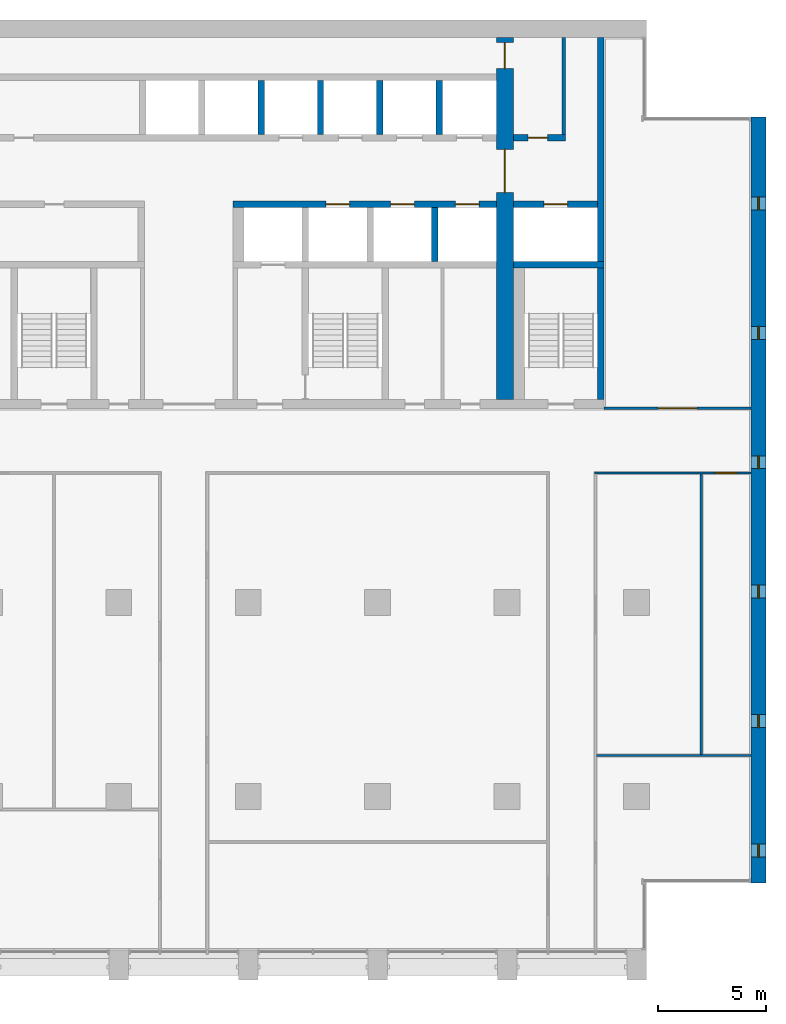
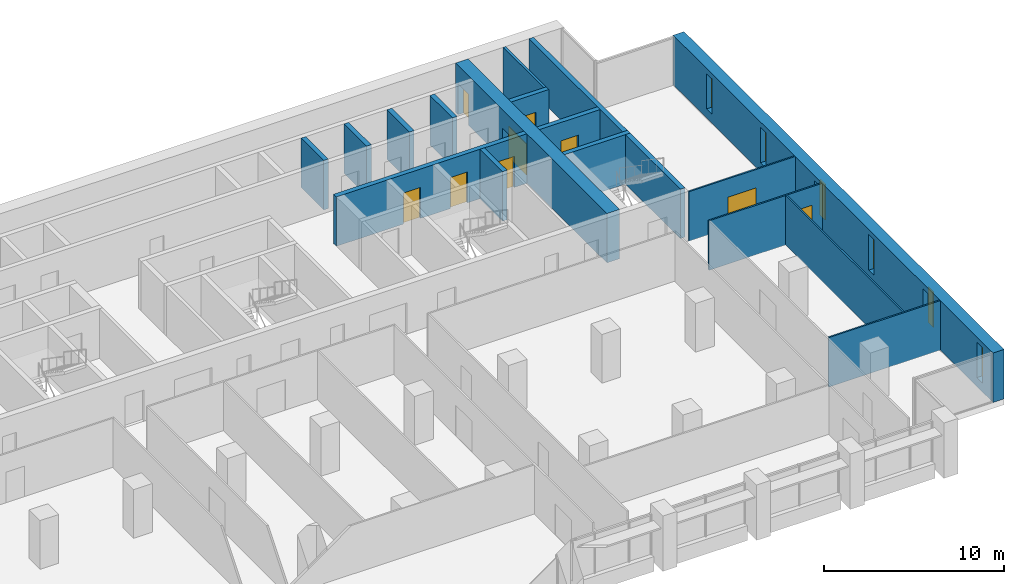
# One storey, part 11 of 15: 18 walls, 9 doors, 6 windows, 15 openings.
"""IFC4 building model written with IfcOpenShell, lengths in metres."""

from ifc_helpers import new_model, si_unit, direction, frame, frame_2d, origin, place, context, subcontext, project, spatial, rectangle, extrude, material, layer, layer_set, type_object, element, fill, save


model = new_model("IFC4")

# Units and contexts
model_context = context("Model", 3, precision=1e-05, world=origin(), true_north=direction((0.0, 1.0)))
body_context = subcontext(model_context, "Body", "Model", "MODEL_VIEW")
ifc_project = project(units=[si_unit("LENGTHUNIT", "METRE"), si_unit("AREAUNIT", "SQUARE_METRE"), si_unit("VOLUMEUNIT", "CUBIC_METRE"), si_unit("PLANEANGLEUNIT", "RADIAN"), si_unit("MASSUNIT", "GRAM", prefix="KILO")], contexts=[model_context])

# Site, building, storey
site_placement = place(None, origin())
site = spatial("IfcSite", under=ifc_project, at=site_placement, CompositionType="ELEMENT")
building_placement = place(site_placement, origin())
building = spatial("IfcBuilding", under=site, at=building_placement, Name="Calvaro Tower", CompositionType="ELEMENT")
storey_placement = place(building_placement, frame((0.0, 0.0, 151.25)))
storey = spatial("IfcBuildingStorey", under=building, at=storey_placement, Name="L38", CompositionType="ELEMENT", Elevation=151.25)

# Wall
ifc_material_1 = material(Name="Blockwork partition", Category="masonry")
ifc_layer_1 = layer(ifc_material_1, 0.14990234375)
ifc_layer_set_1 = layer_set([ifc_layer_1], Name="Blockwork partition")
wall_type_1 = type_object("IfcWallType", Name="Core partition 150 REI 120", PredefinedType="PARTITIONING", material=ifc_layer_set_1)
wall_1_placement = place(storey_placement, frame((62.625, 40.699951171875, 0.0), z_axis=(0.0, 0.0, 1.0), x_axis=(0.0, 1.0, 0.0)))
element("IfcWall", 1, at=wall_1_placement, inside=storey, type_object=wall_type_1, Name="Core partition", PredefinedType="PARTITIONING", context=body_context, shape_type="SweptSolid", body=[
    extrude(rectangle(XDim=4.5, YDim=0.14990234375, at=frame_2d((2.25, 0.0))), origin(), (0.0, 0.0, 1.0), 3.35009765625),
])

# Wall, opening, door
ifc_material_2 = material(Name="Blockwork partition", Category="masonry")
ifc_layer_2 = layer(ifc_material_2, 0.300048828125)
ifc_layer_set_2 = layer_set([ifc_layer_2], Name="Blockwork partition")
wall_type_2 = type_object("IfcWallType", Name="Core partition 300 REI 120", PredefinedType="PARTITIONING", material=ifc_layer_set_2)
wall_2_placement = place(storey_placement, frame((60.300048828125, 40.550048828125, 0.0), z_axis=(0.0, 0.0, 1.0), x_axis=(1.0, 0.0, 0.0)))
wall_2 = element("IfcWall", 2, at=wall_2_placement, inside=storey, type_object=wall_type_2, Name="Core partition", PredefinedType="PARTITIONING", context=body_context, shape_type="SweptSolid", body=[
    extrude(rectangle(XDim=2.39990234375, YDim=0.300048828125, at=frame_2d((1.199951171875, 0.0))), origin(), (0.0, 0.0, 1.0), 3.35009765625),
])
opening_1_placement = place(wall_2_placement, frame((0.675048828125, 0.0, 0.0)))
opening_1 = element("IfcOpeningElement", 3, at=opening_1_placement, cuts=wall_2, Name="Opening RD9E", PredefinedType="OPENING", context=body_context, shape_type="SweptSolid", body=[
    extrude(rectangle(XDim=0.89990234375, YDim=2.10009765625, at=frame_2d((0.449951171875, 1.050048828125))), frame((0.0, 0.159912109375, 0.0), z_axis=(0.0, -1.0, 0.0), x_axis=(1.0, 0.0, 0.0)), (0.0, 0.0, 1.0), 0.320068359375),
])
ifc_material_3 = material(Name="Steel door set", Category="steel")
door_type_1 = type_object("IfcDoorType", Name="Room door 900 FD60", OperationType="SINGLE_SWING_LEFT", PredefinedType="DOOR", material=ifc_material_3)
door_1_placement = place(opening_1_placement, origin())
door_1 = element("IfcDoor", 4, at=door_1_placement, inside=storey, type_object=door_type_1, Name="Room door", OperationType="SINGLE_SWING_LEFT", OverallHeight=2.10009765625, OverallWidth=0.89990234375, PredefinedType="DOOR", context=body_context, shape_type="SweptSolid", body=[
    extrude(rectangle(XDim=0.89990234375, YDim=2.10009765625, at=frame_2d((0.449951171875, 1.050048828125))), frame((0.0, 0.02490234375, 0.0), z_axis=(0.0, -1.0, 0.0), x_axis=(1.0, 0.0, 0.0)), (0.0, 0.0, 1.0), 0.050048828125),
])
fill(opening_1, door_1)

# Walls
ifc_material_4 = material(Name="Concrete C60/75", Category="concrete")
ifc_layer_3 = layer(ifc_material_4, 0.300048828125)
ifc_layer_set_3 = layer_set([ifc_layer_3], Name="Concrete C60/75")
wall_type_3 = type_object("IfcWallType", Name="Core wall C60/75 300", PredefinedType="SHEAR", material=ifc_layer_set_3)
wall_3_placement = place(storey_placement, frame((64.35009765625, 34.800048828125, 0.0), z_axis=(0.0, 0.0, 1.0), x_axis=(0.0, 1.0, 0.0)))
element("IfcWall", 5, at=wall_3_placement, inside=storey, type_object=wall_type_3, Name="Core wall, boundary", PredefinedType="SHEAR", context=body_context, shape_type="SweptSolid", body=[
    extrude(rectangle(XDim=10.39990234375, YDim=0.300048828125, at=frame_2d((5.199951171875, 0.0))), origin(), (0.0, 0.0, 1.0), 3.35009765625),
])
wall_4_placement = place(storey_placement, frame((64.35009765625, 28.39990234375, 0.0), z_axis=(0.0, 0.0, 1.0), x_axis=(0.0, 1.0, 0.0)))
element("IfcWall", 6, at=wall_4_placement, inside=storey, type_object=wall_type_3, Name="Core wall, stair enclosure", PredefinedType="SHEAR", context=body_context, shape_type="SweptSolid", body=[
    extrude(rectangle(XDim=6.10009765625, YDim=0.300048828125, at=frame_2d((3.050048828125, 0.0))), origin(), (0.0, 0.0, 1.0), 3.35009765625),
])
wall_5_placement = place(storey_placement, frame((60.300048828125, 34.64990234375, 0.0), z_axis=(0.0, 0.0, 1.0), x_axis=(1.0, 0.0, 0.0)))
element("IfcWall", 7, at=wall_5_placement, inside=storey, type_object=wall_type_3, Name="Core wall, lift shaft", PredefinedType="SHEAR", context=body_context, shape_type="SweptSolid", body=[
    extrude(rectangle(XDim=4.199951171875, YDim=0.300048828125, at=frame_2d((2.10009765625, 0.0))), origin(), (0.0, 0.0, 1.0), 3.35009765625),
])

# Wall, openings, doors
wall_6_placement = place(storey_placement, frame((47.300048828125, 37.449951171875, 0.0), z_axis=(0.0, 0.0, 1.0), x_axis=(1.0, 0.0, 0.0)))
wall_6 = element("IfcWall", 8, at=wall_6_placement, inside=storey, type_object=wall_type_3, Name="Core wall, lift shaft", PredefinedType="SHEAR", context=body_context, shape_type="SweptSolid", body=[
    extrude(rectangle(XDim=12.199951171875, YDim=0.300048828125, at=frame_2d((6.10009765625, 0.0))), origin(), (0.0, 0.0, 1.0), 3.35009765625),
])
opening_2_placement = place(wall_6_placement, frame((4.300048828125, 0.0, 0.0)))
opening_2 = element("IfcOpeningElement", 9, at=opening_2_placement, cuts=wall_6, Name="Opening MR1", PredefinedType="OPENING", context=body_context, shape_type="SweptSolid", body=[
    extrude(rectangle(XDim=1.10009765625, YDim=2.10009765625, at=frame_2d((0.550048828125, 1.050048828125))), frame((0.0, 0.159912109375, 0.0), z_axis=(0.0, -1.0, 0.0), x_axis=(1.0, 0.0, 0.0)), (0.0, 0.0, 1.0), 0.320068359375),
])
opening_3_placement = place(wall_6_placement, frame((7.300048828125, 0.0, 0.0)))
opening_3 = element("IfcOpeningElement", 10, at=opening_3_placement, cuts=wall_6, Name="Opening MR2", PredefinedType="OPENING", context=body_context, shape_type="SweptSolid", body=[
    extrude(rectangle(XDim=1.10009765625, YDim=2.10009765625, at=frame_2d((0.550048828125, 1.050048828125))), frame((0.0, 0.159912109375, 0.0), z_axis=(0.0, -1.0, 0.0), x_axis=(1.0, 0.0, 0.0)), (0.0, 0.0, 1.0), 0.320068359375),
])
opening_4_placement = place(wall_6_placement, frame((10.300048828125, 0.0, 0.0)))
opening_4 = element("IfcOpeningElement", 11, at=opening_4_placement, cuts=wall_6, Name="Opening MR3", PredefinedType="OPENING", context=body_context, shape_type="SweptSolid", body=[
    extrude(rectangle(XDim=1.10009765625, YDim=2.10009765625, at=frame_2d((0.550048828125, 1.050048828125))), frame((0.0, 0.159912109375, 0.0), z_axis=(0.0, -1.0, 0.0), x_axis=(1.0, 0.0, 0.0)), (0.0, 0.0, 1.0), 0.320068359375),
])
ifc_material_5 = material(Name="Stainless steel", Category="steel")
door_type_2 = type_object("IfcDoorType", Name="Landing door 1100 E 60", OperationType="SLIDING_TO_LEFT", PredefinedType="DOOR", material=ifc_material_5)
door_2_placement = place(opening_2_placement, origin())
door_2 = element("IfcDoor", 12, at=door_2_placement, inside=storey, type_object=door_type_2, Name="Landing door MR1", OperationType="SLIDING_TO_LEFT", OverallHeight=2.10009765625, OverallWidth=1.10009765625, PredefinedType="DOOR", context=body_context, shape_type="SweptSolid", body=[
    extrude(rectangle(XDim=1.10009765625, YDim=2.10009765625, at=frame_2d((0.550048828125, 1.050048828125))), frame((0.0, 0.02490234375, 0.0), z_axis=(0.0, -1.0, 0.0), x_axis=(1.0, 0.0, 0.0)), (0.0, 0.0, 1.0), 0.050048828125),
])
fill(opening_2, door_2)
door_3_placement = place(opening_3_placement, origin())
door_3 = element("IfcDoor", 13, at=door_3_placement, inside=storey, type_object=door_type_2, Name="Landing door MR2", OperationType="SLIDING_TO_LEFT", OverallHeight=2.10009765625, OverallWidth=1.10009765625, PredefinedType="DOOR", context=body_context, shape_type="SweptSolid", body=[
    extrude(rectangle(XDim=1.10009765625, YDim=2.10009765625, at=frame_2d((0.550048828125, 1.050048828125))), frame((0.0, 0.02490234375, 0.0), z_axis=(0.0, -1.0, 0.0), x_axis=(1.0, 0.0, 0.0)), (0.0, 0.0, 1.0), 0.050048828125),
])
fill(opening_3, door_3)
door_4_placement = place(opening_4_placement, origin())
door_4 = element("IfcDoor", 14, at=door_4_placement, inside=storey, type_object=door_type_2, Name="Landing door MR3", OperationType="SLIDING_TO_LEFT", OverallHeight=2.10009765625, OverallWidth=1.10009765625, PredefinedType="DOOR", context=body_context, shape_type="SweptSolid", body=[
    extrude(rectangle(XDim=1.10009765625, YDim=2.10009765625, at=frame_2d((0.550048828125, 1.050048828125))), frame((0.0, 0.02490234375, 0.0), z_axis=(0.0, -1.0, 0.0), x_axis=(1.0, 0.0, 0.0)), (0.0, 0.0, 1.0), 0.050048828125),
])
fill(opening_4, door_4)

# Wall, opening, door
wall_7_placement = place(storey_placement, frame((60.300048828125, 37.449951171875, 0.0), z_axis=(0.0, 0.0, 1.0), x_axis=(1.0, 0.0, 0.0)))
wall_7 = element("IfcWall", 15, at=wall_7_placement, inside=storey, type_object=wall_type_3, Name="Core wall, lift shaft", PredefinedType="SHEAR", context=body_context, shape_type="SweptSolid", body=[
    extrude(rectangle(XDim=3.89990234375, YDim=0.300048828125, at=frame_2d((1.949951171875, 0.0))), origin(), (0.0, 0.0, 1.0), 3.35009765625),
])
opening_5_placement = place(wall_7_placement, frame((1.39990234375, 0.0, 0.0)))
opening_5 = element("IfcOpeningElement", 16, at=opening_5_placement, cuts=wall_7, Name="Opening FF3", PredefinedType="OPENING", context=body_context, shape_type="SweptSolid", body=[
    extrude(rectangle(XDim=1.10009765625, YDim=2.10009765625, at=frame_2d((0.550048828125, 1.050048828125))), frame((0.0, 0.159912109375, 0.0), z_axis=(0.0, -1.0, 0.0), x_axis=(1.0, 0.0, 0.0)), (0.0, 0.0, 1.0), 0.320068359375),
])
door_5_placement = place(opening_5_placement, origin())
door_5 = element("IfcDoor", 17, at=door_5_placement, inside=storey, type_object=door_type_2, Name="Landing door FF3", OperationType="SLIDING_TO_LEFT", OverallHeight=2.10009765625, OverallWidth=1.10009765625, PredefinedType="DOOR", context=body_context, shape_type="SweptSolid", body=[
    extrude(rectangle(XDim=1.10009765625, YDim=2.10009765625, at=frame_2d((0.550048828125, 1.050048828125))), frame((0.0, 0.02490234375, 0.0), z_axis=(0.0, -1.0, 0.0), x_axis=(1.0, 0.0, 0.0)), (0.0, 0.0, 1.0), 0.050048828125),
])
fill(opening_5, door_5)

# Walls
for number, where, z_axis, x_axis, name in (
    (18, (56.64990234375, 34.800048828125, 0.0), (0.0, 0.0, 1.0), (0.0, 1.0, 0.0), "Core wall, lift shaft"),
    (19, (48.60009765625, 40.699951171875, 0.0), (0.0, 0.0, 1.0), (0.0, 1.0, 0.0), "Core wall, lift shaft"),
    (20, (51.35009765625, 40.699951171875, 0.0), (0.0, 0.0, 1.0), (0.0, 1.0, 0.0), "Core wall, lift shaft"),
    (21, (54.10009765625, 40.699951171875, 0.0), (0.0, 0.0, 1.0), (0.0, 1.0, 0.0), "Core wall, lift shaft"),
    (22, (56.85009765625, 40.699951171875, 0.0), (0.0, 0.0, 1.0), (0.0, 1.0, 0.0), "Core wall, lift shaft"),
):
    element("IfcWall", number, at=place(storey_placement, frame(where, z_axis=z_axis, x_axis=x_axis)), inside=storey, type_object=wall_type_3, Name=name, PredefinedType="SHEAR", context=body_context, shape_type="SweptSolid", body=[
        extrude(rectangle(XDim=2.5, YDim=0.300048828125, at=frame_2d((1.25, 0.0))), origin(), (0.0, 0.0, 1.0), 3.35009765625),
    ])

# Wall, openings, doors
ifc_material_6 = material(Name="Concrete C60/75", Category="concrete")
ifc_layer_4 = layer(ifc_material_6, 0.800048828125)
ifc_layer_set_4 = layer_set([ifc_layer_4], Name="Concrete C60/75")
wall_type_4 = type_object("IfcWallType", Name="Core wall C60/75 800", PredefinedType="SHEAR", material=ifc_layer_set_4)
wall_8_placement = place(storey_placement, frame((59.89990234375, 28.39990234375, 0.0), z_axis=(0.0, 0.0, 1.0), x_axis=(0.0, 1.0, 0.0)))
wall_8 = element("IfcWall", 23, at=wall_8_placement, inside=storey, type_object=wall_type_4, Name="Core wall, cross shear wall", PredefinedType="SHEAR", context=body_context, shape_type="SweptSolid", body=[
    extrude(rectangle(XDim=16.800048828125, YDim=0.800048828125, at=frame_2d((8.39990234375, 0.0))), origin(), (0.0, 0.0, 1.0), 3.35009765625),
])
opening_6_placement = place(wall_8_placement, frame((9.60009765625, 0.0, 0.0)))
opening_6 = element("IfcOpeningElement", 24, at=opening_6_placement, cuts=wall_8, Name="Opening DD20D", PredefinedType="OPENING", context=body_context, shape_type="SweptSolid", body=[
    extrude(rectangle(XDim=2.0, YDim=2.10009765625, at=frame_2d((1.0, 1.050048828125))), frame((0.0, 0.409912109375, 0.0), z_axis=(0.0, -1.0, 0.0), x_axis=(1.0, 0.0, 0.0)), (0.0, 0.0, 1.0), 0.820068359375),
])
opening_7_placement = place(wall_8_placement, frame((15.35009765625, 0.0, 0.0)))
opening_7 = element("IfcOpeningElement", 25, at=opening_7_placement, cuts=wall_8, Name="Opening FD12C", PredefinedType="OPENING", context=body_context, shape_type="SweptSolid", body=[
    extrude(rectangle(XDim=1.199951171875, YDim=2.10009765625, at=frame_2d((0.60009765625, 1.050048828125))), frame((0.0, 0.409912109375, 0.0), z_axis=(0.0, -1.0, 0.0), x_axis=(1.0, 0.0, 0.0)), (0.0, 0.0, 1.0), 0.820068359375),
])
ifc_material_7 = material(Name="Steel door set", Category="steel")
door_type_3 = type_object("IfcDoorType", Name="Fire door 1200 FD30", OperationType="SINGLE_SWING_LEFT", PredefinedType="DOOR", material=ifc_material_7)
door_6_placement = place(opening_7_placement, origin())
door_6 = element("IfcDoor", 26, at=door_6_placement, inside=storey, type_object=door_type_3, Name="Fire door", OperationType="SINGLE_SWING_LEFT", OverallHeight=2.10009765625, OverallWidth=1.199951171875, PredefinedType="DOOR", context=body_context, shape_type="SweptSolid", body=[
    extrude(rectangle(XDim=1.199951171875, YDim=2.10009765625, at=frame_2d((0.60009765625, 1.050048828125))), frame((0.0, 0.02490234375, 0.0), z_axis=(0.0, -1.0, 0.0), x_axis=(1.0, 0.0, 0.0)), (0.0, 0.0, 1.0), 0.050048828125),
])
fill(opening_7, door_6)
ifc_material_8 = material(Name="Steel door set", Category="steel")
door_type_4 = type_object("IfcDoorType", Name="Lobby double door 2000 FD30S", OperationType="DOUBLE_DOOR_SINGLE_SWING", PredefinedType="DOOR", material=ifc_material_8)
door_7_placement = place(opening_6_placement, origin())
door_7 = element("IfcDoor", 27, at=door_7_placement, inside=storey, type_object=door_type_4, Name="Lobby double door", OperationType="DOUBLE_DOOR_SINGLE_SWING", OverallHeight=2.10009765625, OverallWidth=2.0, PredefinedType="DOOR", context=body_context, shape_type="SweptSolid", body=[
    extrude(rectangle(XDim=2.0, YDim=2.10009765625, at=frame_2d((1.0, 1.050048828125))), frame((0.0, 0.02490234375, 0.0), z_axis=(0.0, -1.0, 0.0), x_axis=(1.0, 0.0, 0.0)), (0.0, 0.0, 1.0), 0.050048828125),
])
fill(opening_6, door_7)

# Wall, openings, windows
ifc_material_9 = material(Name="Concrete C60/75", Category="concrete")
ifc_layer_5 = layer(ifc_material_9, 0.699951171875)
ifc_layer_set_5 = layer_set([ifc_layer_5], Name="Concrete C60/75")
wall_type_5 = type_object("IfcWallType", Name="End wall 700 C60/75", PredefinedType="SHEAR", material=ifc_layer_set_5)
wall_9_placement = place(storey_placement, frame((71.64990234375, 6.0, 0.0), z_axis=(0.0, 0.0, 1.0), x_axis=(0.0, 1.0, 0.0)))
wall_9 = element("IfcWall", 28, at=wall_9_placement, inside=storey, type_object=wall_type_5, Name="End shear wall", PredefinedType="SHEAR", context=body_context, shape_type="SweptSolid", body=[
    extrude(rectangle(XDim=35.5, YDim=0.699951171875, at=frame_2d((17.75, 0.0))), origin(), (0.0, 0.0, 1.0), 3.35009765625),
])
opening_8_placement = place(wall_9_placement, frame((1.199951171875, 0.0, 0.60009765625)))
opening_8 = element("IfcOpeningElement", 29, at=opening_8_placement, cuts=wall_9, Name="Opening WE01", PredefinedType="OPENING", context=body_context, shape_type="SweptSolid", body=[
    extrude(rectangle(XDim=0.60009765625, YDim=2.39990234375, at=frame_2d((0.300048828125, 1.199951171875))), frame((0.0, 0.35986328125, 0.0), z_axis=(0.0, -1.0, 0.0), x_axis=(1.0, 0.0, 0.0)), (0.0, 0.0, 1.0), 0.719970703125),
])
opening_9_placement = place(wall_9_placement, frame((7.199951171875, 0.0, 0.60009765625)))
opening_9 = element("IfcOpeningElement", 30, at=opening_9_placement, cuts=wall_9, Name="Opening WE02", PredefinedType="OPENING", context=body_context, shape_type="SweptSolid", body=[
    extrude(rectangle(XDim=0.60009765625, YDim=2.39990234375, at=frame_2d((0.300048828125, 1.199951171875))), frame((0.0, 0.35986328125, 0.0), z_axis=(0.0, -1.0, 0.0), x_axis=(1.0, 0.0, 0.0)), (0.0, 0.0, 1.0), 0.719970703125),
])
opening_10_placement = place(wall_9_placement, frame((13.199951171875, 0.0, 0.60009765625)))
opening_10 = element("IfcOpeningElement", 31, at=opening_10_placement, cuts=wall_9, Name="Opening WE03", PredefinedType="OPENING", context=body_context, shape_type="SweptSolid", body=[
    extrude(rectangle(XDim=0.60009765625, YDim=2.39990234375, at=frame_2d((0.300048828125, 1.199951171875))), frame((0.0, 0.35986328125, 0.0), z_axis=(0.0, -1.0, 0.0), x_axis=(1.0, 0.0, 0.0)), (0.0, 0.0, 1.0), 0.719970703125),
])
opening_11_placement = place(wall_9_placement, frame((19.199951171875, 0.0, 0.60009765625)))
opening_11 = element("IfcOpeningElement", 32, at=opening_11_placement, cuts=wall_9, Name="Opening WE04", PredefinedType="OPENING", context=body_context, shape_type="SweptSolid", body=[
    extrude(rectangle(XDim=0.60009765625, YDim=2.39990234375, at=frame_2d((0.300048828125, 1.199951171875))), frame((0.0, 0.35986328125, 0.0), z_axis=(0.0, -1.0, 0.0), x_axis=(1.0, 0.0, 0.0)), (0.0, 0.0, 1.0), 0.719970703125),
])
opening_12_placement = place(wall_9_placement, frame((25.199951171875, 0.0, 0.60009765625)))
opening_12 = element("IfcOpeningElement", 33, at=opening_12_placement, cuts=wall_9, Name="Opening WE05", PredefinedType="OPENING", context=body_context, shape_type="SweptSolid", body=[
    extrude(rectangle(XDim=0.60009765625, YDim=2.39990234375, at=frame_2d((0.300048828125, 1.199951171875))), frame((0.0, 0.35986328125, 0.0), z_axis=(0.0, -1.0, 0.0), x_axis=(1.0, 0.0, 0.0)), (0.0, 0.0, 1.0), 0.719970703125),
])
opening_13_placement = place(wall_9_placement, frame((31.199951171875, 0.0, 0.60009765625)))
opening_13 = element("IfcOpeningElement", 34, at=opening_13_placement, cuts=wall_9, Name="Opening WE06", PredefinedType="OPENING", context=body_context, shape_type="SweptSolid", body=[
    extrude(rectangle(XDim=0.60009765625, YDim=2.39990234375, at=frame_2d((0.300048828125, 1.199951171875))), frame((0.0, 0.35986328125, 0.0), z_axis=(0.0, -1.0, 0.0), x_axis=(1.0, 0.0, 0.0)), (0.0, 0.0, 1.0), 0.719970703125),
])
ifc_material_10 = material(Name="Glass", Category="glass")
window_type = type_object("IfcWindowType", Name="Slit window 600 x 2400", PartitioningType="SINGLE_PANEL", PredefinedType="WINDOW", material=ifc_material_10)
window_1_placement = place(opening_8_placement, origin())
window_1 = element("IfcWindow", 35, at=window_1_placement, inside=storey, type_object=window_type, Name="Window WE01", OverallHeight=2.39990234375, OverallWidth=0.60009765625, PartitioningType="SINGLE_PANEL", PredefinedType="WINDOW", context=body_context, shape_type="SweptSolid", body=[
    extrude(rectangle(XDim=0.60009765625, YDim=2.39990234375, at=frame_2d((0.300048828125, 1.199951171875))), frame((0.0, 0.030029296875, 0.0), z_axis=(0.0, -1.0, 0.0), x_axis=(1.0, 0.0, 0.0)), (0.0, 0.0, 1.0), 0.06005859375),
])
fill(opening_8, window_1)
window_2_placement = place(opening_9_placement, origin())
window_2 = element("IfcWindow", 36, at=window_2_placement, inside=storey, type_object=window_type, Name="Window WE02", OverallHeight=2.39990234375, OverallWidth=0.60009765625, PartitioningType="SINGLE_PANEL", PredefinedType="WINDOW", context=body_context, shape_type="SweptSolid", body=[
    extrude(rectangle(XDim=0.60009765625, YDim=2.39990234375, at=frame_2d((0.300048828125, 1.199951171875))), frame((0.0, 0.030029296875, 0.0), z_axis=(0.0, -1.0, 0.0), x_axis=(1.0, 0.0, 0.0)), (0.0, 0.0, 1.0), 0.06005859375),
])
fill(opening_9, window_2)
window_3_placement = place(opening_10_placement, origin())
window_3 = element("IfcWindow", 37, at=window_3_placement, inside=storey, type_object=window_type, Name="Window WE03", OverallHeight=2.39990234375, OverallWidth=0.60009765625, PartitioningType="SINGLE_PANEL", PredefinedType="WINDOW", context=body_context, shape_type="SweptSolid", body=[
    extrude(rectangle(XDim=0.60009765625, YDim=2.39990234375, at=frame_2d((0.300048828125, 1.199951171875))), frame((0.0, 0.030029296875, 0.0), z_axis=(0.0, -1.0, 0.0), x_axis=(1.0, 0.0, 0.0)), (0.0, 0.0, 1.0), 0.06005859375),
])
fill(opening_10, window_3)
window_4_placement = place(opening_11_placement, origin())
window_4 = element("IfcWindow", 38, at=window_4_placement, inside=storey, type_object=window_type, Name="Window WE04", OverallHeight=2.39990234375, OverallWidth=0.60009765625, PartitioningType="SINGLE_PANEL", PredefinedType="WINDOW", context=body_context, shape_type="SweptSolid", body=[
    extrude(rectangle(XDim=0.60009765625, YDim=2.39990234375, at=frame_2d((0.300048828125, 1.199951171875))), frame((0.0, 0.030029296875, 0.0), z_axis=(0.0, -1.0, 0.0), x_axis=(1.0, 0.0, 0.0)), (0.0, 0.0, 1.0), 0.06005859375),
])
fill(opening_11, window_4)
window_5_placement = place(opening_12_placement, origin())
window_5 = element("IfcWindow", 39, at=window_5_placement, inside=storey, type_object=window_type, Name="Window WE05", OverallHeight=2.39990234375, OverallWidth=0.60009765625, PartitioningType="SINGLE_PANEL", PredefinedType="WINDOW", context=body_context, shape_type="SweptSolid", body=[
    extrude(rectangle(XDim=0.60009765625, YDim=2.39990234375, at=frame_2d((0.300048828125, 1.199951171875))), frame((0.0, 0.030029296875, 0.0), z_axis=(0.0, -1.0, 0.0), x_axis=(1.0, 0.0, 0.0)), (0.0, 0.0, 1.0), 0.06005859375),
])
fill(opening_12, window_5)
window_6_placement = place(opening_13_placement, origin())
window_6 = element("IfcWindow", 40, at=window_6_placement, inside=storey, type_object=window_type, Name="Window WE06", OverallHeight=2.39990234375, OverallWidth=0.60009765625, PartitioningType="SINGLE_PANEL", PredefinedType="WINDOW", context=body_context, shape_type="SweptSolid", body=[
    extrude(rectangle(XDim=0.60009765625, YDim=2.39990234375, at=frame_2d((0.300048828125, 1.199951171875))), frame((0.0, 0.030029296875, 0.0), z_axis=(0.0, -1.0, 0.0), x_axis=(1.0, 0.0, 0.0)), (0.0, 0.0, 1.0), 0.06005859375),
])
fill(opening_13, window_6)

# Wall
ifc_material_11 = material(Name="Plasterboard on steel studs", Category="steel")
ifc_layer_6 = layer(ifc_material_11, 0.10009765625)
ifc_layer_set_6 = layer_set([ifc_layer_6], Name="Plasterboard on steel studs")
wall_type_6 = type_object("IfcWallType", Name="Partition 100", PredefinedType="PARTITIONING", material=ifc_layer_set_6)
wall_10_placement = place(storey_placement, frame((64.14990234375, 11.89990234375, 0.0), z_axis=(0.0, 0.0, 1.0), x_axis=(1.0, 0.0, 0.0)))
element("IfcWall", 41, at=wall_10_placement, inside=storey, type_object=wall_type_6, Name="Partition T23.W003", PredefinedType="PARTITIONING", context=body_context, shape_type="SweptSolid", body=[
    extrude(rectangle(XDim=7.150146484375, YDim=0.10009765625, at=frame_2d((3.5751953125, 0.0))), origin(), (0.0, 0.0, 1.0), 3.35009765625),
])

# Wall, opening, door
wall_11_placement = place(storey_placement, frame((64.050048828125, 25.0, 0.0), z_axis=(0.0, 0.0, 1.0), x_axis=(1.0, 0.0, 0.0)))
wall_11 = element("IfcWall", 42, at=wall_11_placement, inside=storey, type_object=wall_type_6, Name="Partition T23.W007", PredefinedType="PARTITIONING", context=body_context, shape_type="SweptSolid", body=[
    extrude(rectangle(XDim=7.25, YDim=0.10009765625, at=frame_2d((3.625, 0.0))), origin(), (0.0, 0.0, 1.0), 3.35009765625),
])
opening_14_placement = place(wall_11_placement, frame((5.60009765625, 0.0, 0.0)))
opening_14 = element("IfcOpeningElement", 43, at=opening_14_placement, cuts=wall_11, Name="Opening T23.012", PredefinedType="OPENING", context=body_context, shape_type="SweptSolid", body=[
    extrude(rectangle(XDim=1.0, YDim=2.10009765625, at=frame_2d((0.5, 1.050048828125))), frame((0.0, 0.06005859375, 0.0), z_axis=(0.0, -1.0, 0.0), x_axis=(1.0, 0.0, 0.0)), (0.0, 0.0, 1.0), 0.1201171875),
])
ifc_material_12 = material(Name="Timber", Category="wood")
door_type_5 = type_object("IfcDoorType", Name="Internal single door 1000 x 2100", OperationType="SINGLE_SWING_LEFT", PredefinedType="DOOR", material=ifc_material_12)
door_8_placement = place(opening_14_placement, origin())
door_8 = element("IfcDoor", 44, at=door_8_placement, inside=storey, type_object=door_type_5, Name="Door T23.012", OperationType="SINGLE_SWING_RIGHT", OverallHeight=2.10009765625, OverallWidth=1.0, PredefinedType="DOOR", context=body_context, shape_type="SweptSolid", body=[
    extrude(rectangle(XDim=1.0, YDim=2.10009765625, at=frame_2d((0.5, 1.050048828125))), frame((0.0, 0.02490234375, 0.0), z_axis=(0.0, -1.0, 0.0), x_axis=(1.0, 0.0, 0.0)), (0.0, 0.0, 1.0), 0.050048828125),
])
fill(opening_14, door_8)

wall_12_placement = place(storey_placement, frame((64.5, 28.0, 0.0), z_axis=(0.0, 0.0, 1.0), x_axis=(1.0, 0.0, 0.0)))
wall_12 = element("IfcWall", 45, at=wall_12_placement, inside=storey, type_object=wall_type_6, Name="Partition T23.W009", PredefinedType="PARTITIONING", context=body_context, shape_type="SweptSolid", body=[
    extrude(rectangle(XDim=6.800048828125, YDim=0.10009765625, at=frame_2d((3.39990234375, 0.0))), origin(), (0.0, 0.0, 1.0), 3.35009765625),
])
opening_15_placement = place(wall_12_placement, frame((2.5, 0.0, 0.0)))
opening_15 = element("IfcOpeningElement", 46, at=opening_15_placement, cuts=wall_12, Name="Opening T23.014", PredefinedType="OPENING", context=body_context, shape_type="SweptSolid", body=[
    extrude(rectangle(XDim=1.800048828125, YDim=2.10009765625, at=frame_2d((0.89990234375, 1.050048828125))), frame((0.0, 0.06005859375, 0.0), z_axis=(0.0, -1.0, 0.0), x_axis=(1.0, 0.0, 0.0)), (0.0, 0.0, 1.0), 0.1201171875),
])
ifc_material_13 = material(Name="Timber", Category="wood")
door_type_6 = type_object("IfcDoorType", Name="Internal double door 1800 x 2100", OperationType="DOUBLE_DOOR_SINGLE_SWING", PredefinedType="DOOR", material=ifc_material_13)
door_9_placement = place(opening_15_placement, origin())
door_9 = element("IfcDoor", 47, at=door_9_placement, inside=storey, type_object=door_type_6, Name="Door T23.014", OperationType="DOUBLE_DOOR_SINGLE_SWING", OverallHeight=2.10009765625, OverallWidth=1.800048828125, PredefinedType="DOOR", context=body_context, shape_type="SweptSolid", body=[
    extrude(rectangle(XDim=1.800048828125, YDim=2.10009765625, at=frame_2d((0.89990234375, 1.050048828125))), frame((0.0, 0.02490234375, 0.0), z_axis=(0.0, -1.0, 0.0), x_axis=(1.0, 0.0, 0.0)), (0.0, 0.0, 1.0), 0.050048828125),
])
fill(opening_15, door_9)

# Wall
wall_13_placement = place(storey_placement, frame((69.0, 11.949951171875, 0.0), z_axis=(0.0, 0.0, 1.0), x_axis=(0.0, 1.0, 0.0)))
element("IfcWall", 48, at=wall_13_placement, inside=storey, type_object=wall_type_6, Name="Partition T23.W018", PredefinedType="PARTITIONING", context=body_context, shape_type="SweptSolid", body=[
    extrude(rectangle(XDim=13.0, YDim=0.10009765625, at=frame_2d((6.5, 0.0))), origin(), (0.0, 0.0, 1.0), 3.35009765625),
])

save(model, "model.ifc")
